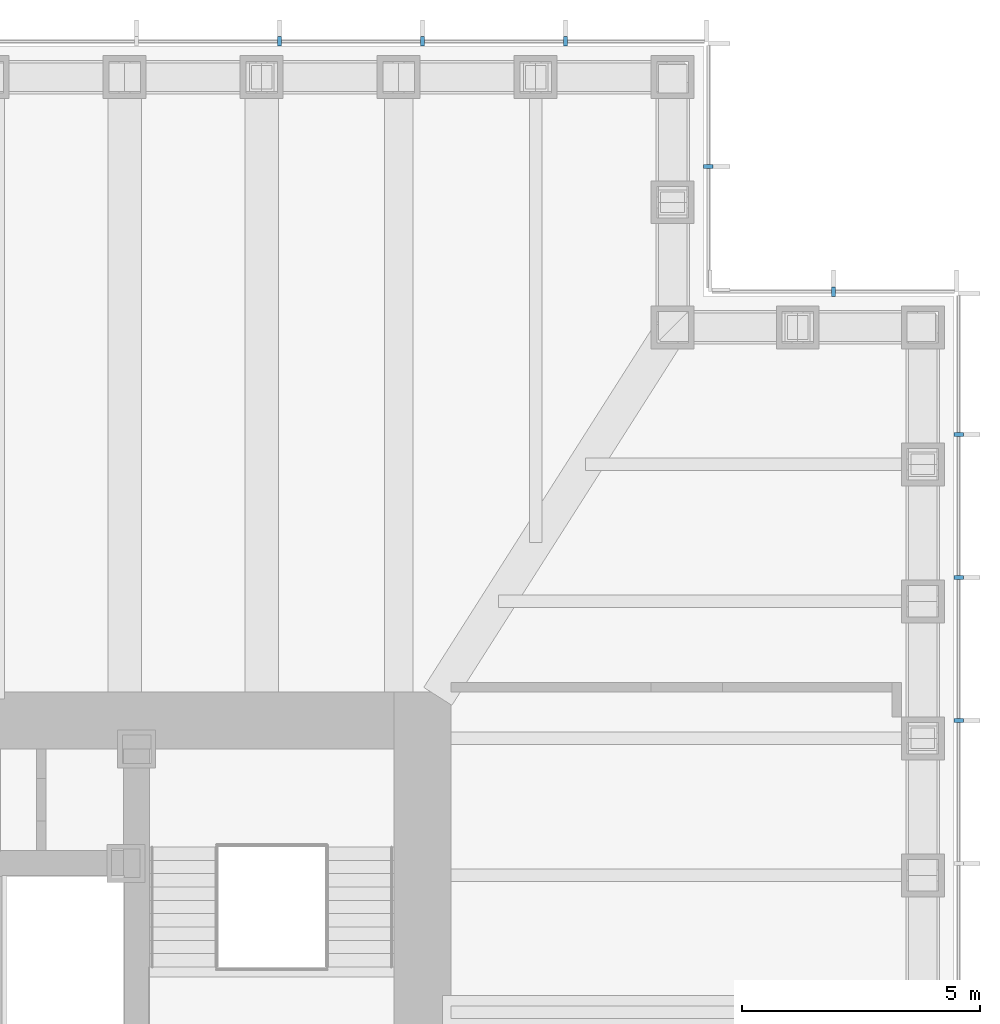
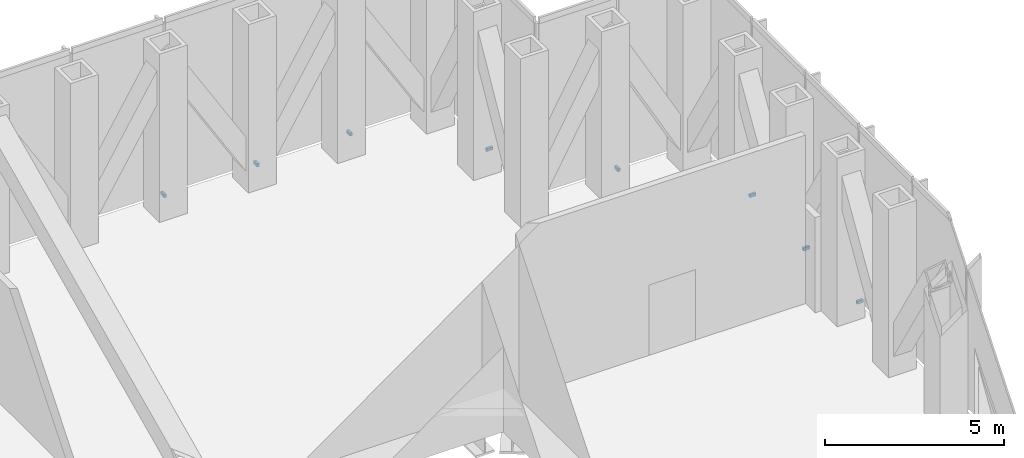
# One storey, part 12 of 13: 8 discrete accessories.
"""IFC4 building model written with IfcOpenShell, lengths in metres."""

from ifc_helpers import new_model, si_unit, direction, frame, origin, origin_2d, place, context, subcontext, project, spatial, rectangle, extrude, element, save


model = new_model("IFC4")

# Units and contexts
model_context = context("Model", 3, precision=1e-05, world=origin(), true_north=direction((0.0, 1.0)))
body_context = subcontext(model_context, "Body", "Model", "MODEL_VIEW")
ifc_project = project(units=[si_unit("LENGTHUNIT", "METRE"), si_unit("AREAUNIT", "SQUARE_METRE"), si_unit("VOLUMEUNIT", "CUBIC_METRE"), si_unit("PLANEANGLEUNIT", "RADIAN"), si_unit("MASSUNIT", "GRAM", prefix="KILO")], contexts=[model_context])

# Site, building, storey
site_placement = place(None, origin())
site = spatial("IfcSite", under=ifc_project, at=site_placement, CompositionType="ELEMENT")
building_placement = place(site_placement, origin())
building = spatial("IfcBuilding", under=site, at=building_placement, Name="Daluyong Arena Tower", CompositionType="ELEMENT")
storey_placement = place(building_placement, frame((0.0, 0.0, 175.300048828125)))
storey = spatial("IfcBuildingStorey", under=building, at=storey_placement, Name="L39", CompositionType="ELEMENT", Elevation=175.300048828125)

# Discrete accessories
for number, where, z_axis, x_axis, name in (
    (1, (79.25, 89.0, -0.10009765625), (0.0, 0.0, 1.0), (0.0, 1.0, 0.0), "curtain wall L39 E anchor bracket 10"),
    (2, (79.25, 92.0, -0.10009765625), (0.0, 0.0, 1.0), (0.0, 1.0, 0.0), "curtain wall L39 E anchor bracket 11"),
    (3, (79.25, 95.0, -0.10009765625), (0.0, 0.0, 1.0), (0.0, 1.0, 0.0), "curtain wall L39 E anchor bracket 12"),
    (4, (76.625, 98.0, -0.10009765625), (0.0, 0.0, 1.0), (-1.0, 0.0, 0.0), "curtain wall L39 NE-N anchor bracket 2"),
    (5, (74.0, 100.625, -0.10009765625), (0.0, 0.0, 1.0), (0.0, 1.0, 0.0), "curtain wall L39 NE-E anchor bracket 2"),
    (6, (71.0, 103.25, -0.10009765625), (0.0, 0.0, 1.0), (-1.0, 0.0, 0.0), "curtain wall L39 N anchor bracket 2"),
    (7, (68.0, 103.25, -0.10009765625), (0.0, 0.0, 1.0), (-1.0, 0.0, 0.0), "curtain wall L39 N anchor bracket 3"),
    (8, (65.0, 103.25, -0.10009765625), (0.0, 0.0, 1.0), (-1.0, 0.0, 0.0), "curtain wall L39 N anchor bracket 4"),
):
    element("IfcDiscreteAccessory", number, at=place(storey_placement, frame(where, z_axis=z_axis, x_axis=x_axis)), inside=storey, Name=name, PredefinedType="BRACKET", context=body_context, shape_type="SweptSolid", body=[
        extrude(rectangle(XDim=0.080078125, YDim=0.199951171875, at=origin_2d()), origin(), (0.0, 0.0, 1.0), 0.10009765625),
    ])

save(model, "model.ifc")
